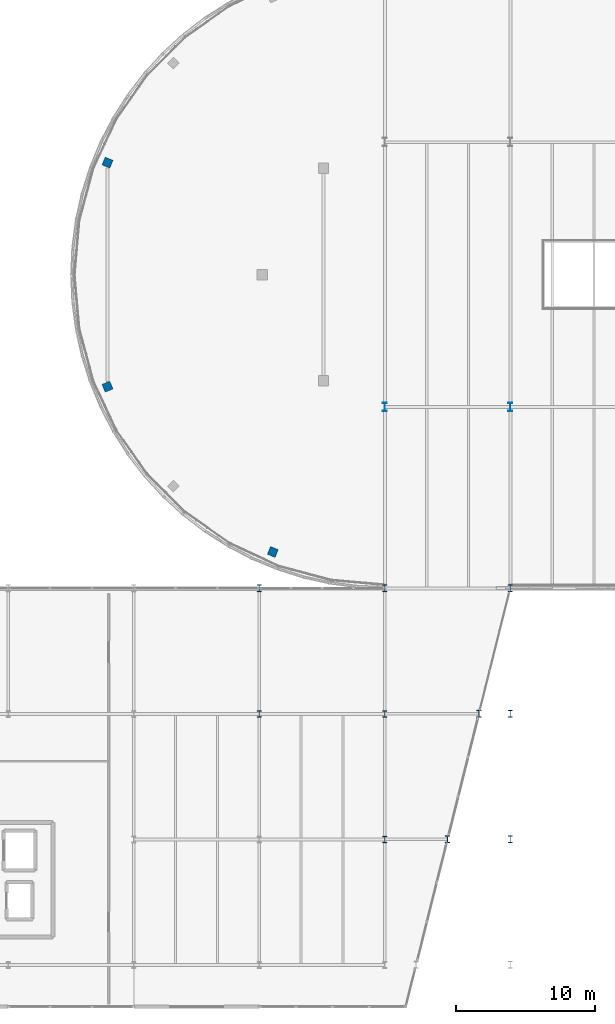
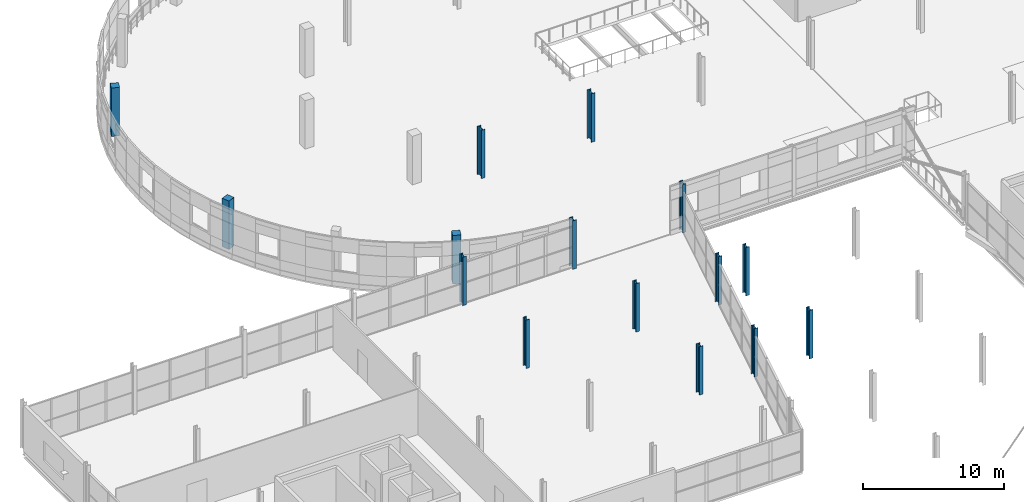
# One storey, part 7 of 132: 15 columns.
"""IFC4 building model written with IfcOpenShell, lengths in metres."""

from ifc_helpers import new_model, si_unit, direction, frame, origin, origin_2d, place, context, subcontext, project, spatial, rectangle, i_section, extrude, material, material_profile, profile_set, type_object, element, save


model = new_model("IFC4")

# Units and contexts
model_context = context("Model", 3, precision=1e-05, world=origin(), true_north=direction((0.0, 1.0)))
body_context = subcontext(model_context, "Body", "Model", "MODEL_VIEW")
ifc_project = project(units=[si_unit("LENGTHUNIT", "METRE"), si_unit("AREAUNIT", "SQUARE_METRE"), si_unit("VOLUMEUNIT", "CUBIC_METRE"), si_unit("PLANEANGLEUNIT", "RADIAN"), si_unit("MASSUNIT", "GRAM", prefix="KILO")], contexts=[model_context])

# Site, building, storey
site_placement = place(None, origin())
site = spatial("IfcSite", under=ifc_project, at=site_placement, CompositionType="ELEMENT")
building_placement = place(site_placement, origin())
building = spatial("IfcBuilding", under=site, at=building_placement, Name="Deido Ridge Mobility Hub", CompositionType="ELEMENT")
storey_placement = place(building_placement, frame((0.0, 0.0, 8.39990234375)))
storey = spatial("IfcBuildingStorey", under=building, at=storey_placement, Name="L02", CompositionType="ELEMENT", Elevation=8.39990234375)

# Columns
ifc_material_1 = material(Name="Steel S355J2 EN 10025-2", Category="steel")
ifc_material_profile_1 = material_profile(ifc_material_1, i_section(OverallWidth=0.300048828125, OverallDepth=0.449951171875, WebThickness=0.013916015625, FlangeThickness=0.02587890625, FilletRadius=0.027099609375, at=origin_2d()), Name="HEB 450")
ifc_profile_set_1 = profile_set([ifc_material_profile_1], Name="Steel S355J2 EN 10025-2")
column_type_1 = type_object("IfcColumnType", Name="COL-HEB450", PredefinedType="COLUMN", material=ifc_profile_set_1)
for number, where, z_axis, x_axis, name in (
    (1, (45.0, 63.0, 0.0), (0.0, 0.0, 1.0), (1.0, 0.0, 0.0), "Structural column C6"),
    (2, (36.0, 72.0, 0.0), (0.0, 0.0, 1.0), (1.0, 0.0, 0.0), "Structural column C6"),
    (3, (45.0, 72.0, 0.0), (0.0, 0.0, 1.0), (1.0, 0.0, 0.0), "Structural column C6"),
):
    element("IfcColumn", number, at=place(storey_placement, frame(where, z_axis=z_axis, x_axis=x_axis)), inside=storey, type_object=column_type_1, Name=name, PredefinedType="COLUMN", context=body_context, shape_type="SweptSolid", body=[
        extrude(i_section(OverallWidth=0.300048828125, OverallDepth=0.449951171875, WebThickness=0.013916015625, FlangeThickness=0.02587890625, FilletRadius=0.027099609375, at=origin_2d()), origin(), (0.0, 0.0, 1.0), 4.2001953125),
    ])
ifc_material_profile_2 = material_profile(ifc_material_1, i_section(OverallWidth=0.300048828125, OverallDepth=0.5, WebThickness=0.014404296875, FlangeThickness=0.028076171875, FilletRadius=0.027099609375, at=origin_2d()), Name="HEB 500")
ifc_profile_set_2 = profile_set([ifc_material_profile_2], Name="Steel S355J2 EN 10025-2")
column_type_2 = type_object("IfcColumnType", Name="COL-HEB500", PredefinedType="COLUMN", material=ifc_profile_set_2)
for number, where, z_axis, x_axis, name in (
    (4, (49.5, 63.0, 0.0), (0.0, 0.0, 1.0), (1.0, 0.0, 0.0), "Structural column C5"),
    (5, (51.75, 72.0, 0.0), (0.0, 0.0, 1.0), (1.0, 0.0, 0.0), "Structural column C5"),
    (6, (36.0, 81.0, 0.0), (0.0, 0.0, 1.0), (1.0, 0.0, 0.0), "Structural column C5"),
    (7, (45.0, 81.0, 0.0), (0.0, 0.0, 1.0), (1.0, 0.0, 0.0), "Structural column C5"),
    (8, (54.0, 81.0, 0.0), (0.0, 0.0, 1.0), (1.0, 0.0, 0.0), "Structural column C5"),
    (9, (54.0, 63.0, 0.0), (0.0, 0.0, 1.0), (1.0, 0.0, 0.0), "Structural column C5"),
    (10, (54.0, 72.0, 0.0), (0.0, 0.0, 1.0), (1.0, 0.0, 0.0), "Structural column C5"),
):
    element("IfcColumn", number, at=place(storey_placement, frame(where, z_axis=z_axis, x_axis=x_axis)), inside=storey, type_object=column_type_2, Name=name, PredefinedType="COLUMN", context=body_context, shape_type="SweptSolid", body=[
        extrude(i_section(OverallWidth=0.300048828125, OverallDepth=0.5, WebThickness=0.014404296875, FlangeThickness=0.028076171875, FilletRadius=0.027099609375, at=origin_2d()), origin(), (0.0, 0.0, 1.0), 4.2001953125),
    ])
ifc_material_profile_3 = material_profile(ifc_material_1, i_section(OverallWidth=0.300048828125, OverallDepth=0.60009765625, WebThickness=0.015380859375, FlangeThickness=0.030029296875, FilletRadius=0.027099609375, at=origin_2d()), Name="HEB 600")
ifc_profile_set_3 = profile_set([ifc_material_profile_3], Name="Steel S355J2 EN 10025-2")
column_type_3 = type_object("IfcColumnType", Name="COL-HEB600", PredefinedType="COLUMN", material=ifc_profile_set_3)
for number, where, z_axis, x_axis, name in (
    (11, (45.0, 94.0, 0.0), (0.0, 0.0, 1.0), (1.0, 0.0, 0.0), "Structural column C4"),
    (12, (54.0, 94.0, 0.0), (0.0, 0.0, 1.0), (1.0, 0.0, 0.0), "Structural column C4"),
):
    element("IfcColumn", number, at=place(storey_placement, frame(where, z_axis=z_axis, x_axis=x_axis)), inside=storey, type_object=column_type_3, Name=name, PredefinedType="COLUMN", context=body_context, shape_type="SweptSolid", body=[
        extrude(i_section(OverallWidth=0.300048828125, OverallDepth=0.60009765625, WebThickness=0.015380859375, FlangeThickness=0.030029296875, FilletRadius=0.027099609375, at=origin_2d()), origin(), (0.0, 0.0, 1.0), 4.2001953125),
    ])
ifc_material_2 = material(Name="Concrete C40/50", Category="concrete")
ifc_material_profile_4 = material_profile(ifc_material_2, rectangle(XDim=0.60009765625, YDim=0.60009765625, at=origin_2d()), Name="RC COL 600x600")
ifc_profile_set_4 = profile_set([ifc_material_profile_4], Name="Concrete C40/50")
column_type_4 = type_object("IfcColumnType", Name="COL-RC600", PredefinedType="COLUMN", material=ifc_profile_set_4)
for number, where, z_axis, x_axis, name in (
    (13, (25.11181640625, 111.535400390625, 0.0), (0.0, 0.0, 1.0), (-0.927183854567, 0.374606593416, 0.0), "Structural column RC2"),
    (14, (25.11181640625, 95.464599609375, 0.0), (0.0, 0.0, 1.0), (-0.927183854567, -0.374606593416, 0.0), "Structural column RC2"),
    (15, (36.964599609375, 83.61181640625, 0.0), (0.0, 0.0, 1.0), (-0.374606593416, -0.927183854567, 0.0), "Structural column RC2"),
):
    element("IfcColumn", number, at=place(storey_placement, frame(where, z_axis=z_axis, x_axis=x_axis)), inside=storey, type_object=column_type_4, Name=name, PredefinedType="COLUMN", context=body_context, shape_type="SweptSolid", body=[
        extrude(rectangle(XDim=0.60009765625, YDim=0.60009765625, at=origin_2d()), origin(), (0.0, 0.0, 1.0), 4.2001953125),
    ])

save(model, "model.ifc")
